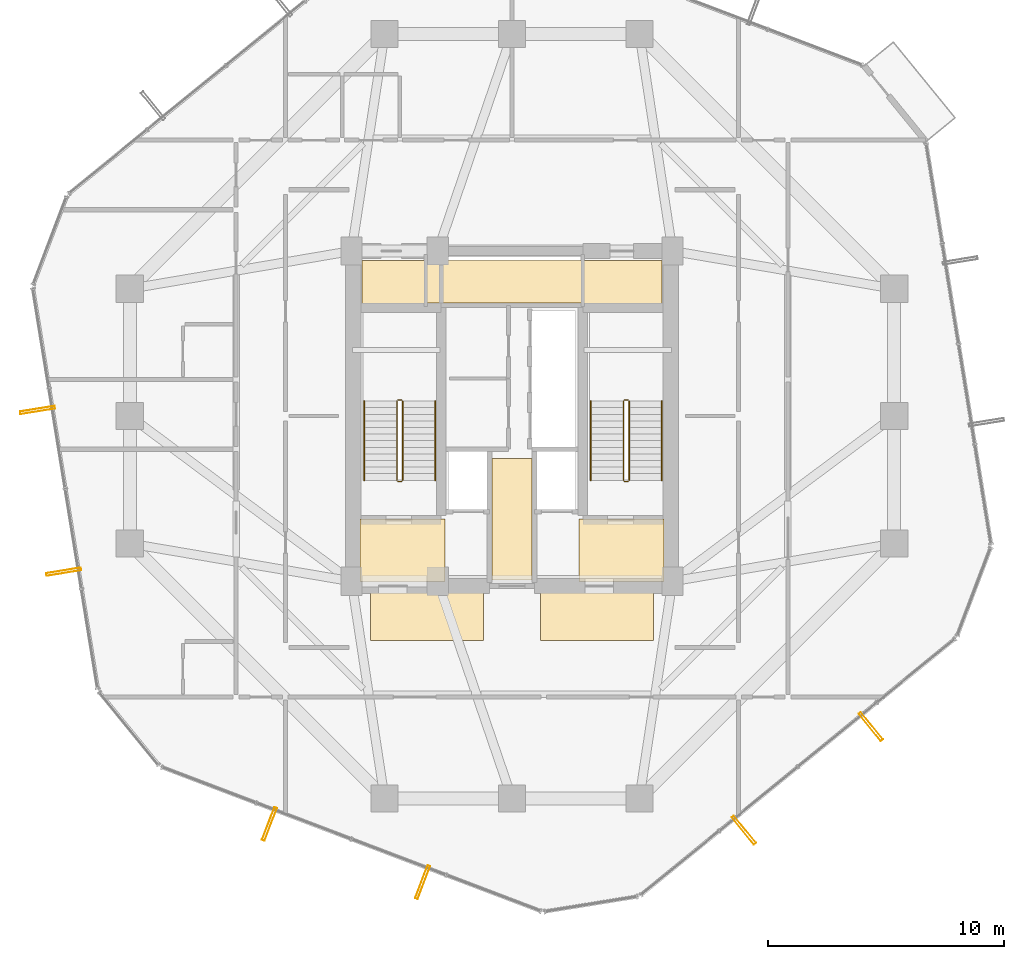
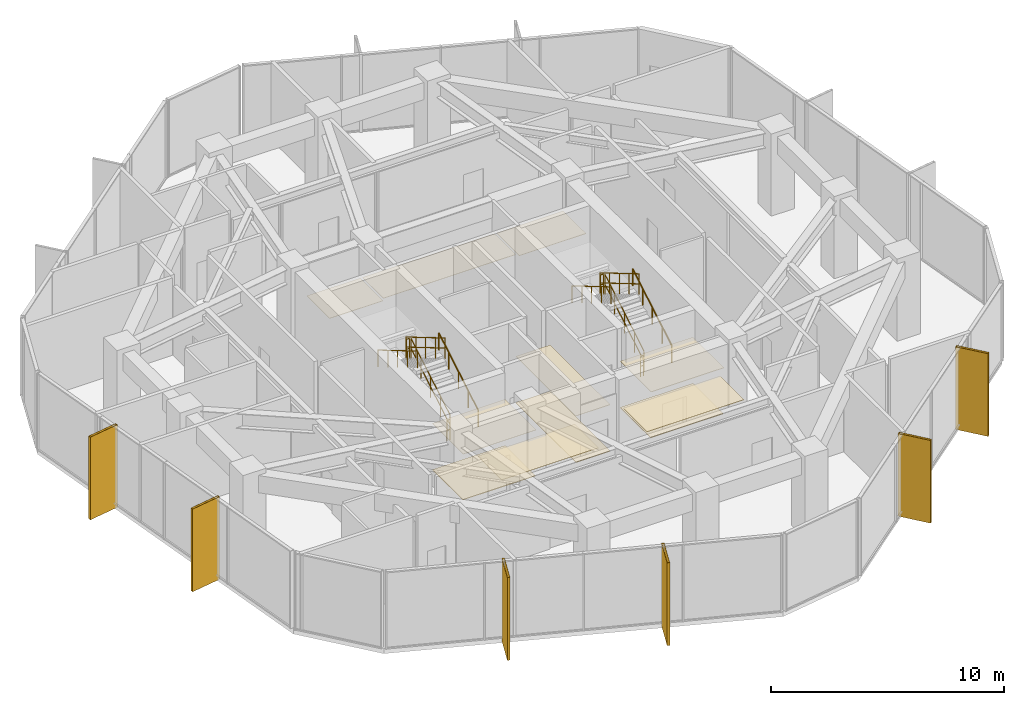
# One storey, part 25 of 26: 12 railings, 11 coverings, 6 shading devices.
"""IFC4 building model written with IfcOpenShell, lengths in metres."""

from ifc_helpers import new_model, si_unit, direction, frame, origin, origin_2d, place, context, subcontext, project, spatial, polyline, hollow_rectangle, circle, outline, extrude, material, layer, layer_set, material_profile, profile_set, type_object, element, save


model = new_model("IFC4")

# Units and contexts
model_context = context("Model", 3, precision=1e-05, world=origin(), true_north=direction((0.0, 1.0)))
body_context = subcontext(model_context, "Body", "Model", "MODEL_VIEW")
ifc_project = project(units=[si_unit("LENGTHUNIT", "METRE"), si_unit("AREAUNIT", "SQUARE_METRE"), si_unit("VOLUMEUNIT", "CUBIC_METRE"), si_unit("PLANEANGLEUNIT", "RADIAN"), si_unit("MASSUNIT", "GRAM", prefix="KILO")], contexts=[model_context])

# Site, building, storey
site_placement = place(None, origin())
site = spatial("IfcSite", under=ifc_project, at=site_placement, CompositionType="ELEMENT")
building_placement = place(site_placement, origin())
building = spatial("IfcBuilding", under=site, at=building_placement, Name="Veraguas Prism Commons", CompositionType="ELEMENT")
storey_placement = place(building_placement, frame((0.0, 0.0, 158.75)))
storey = spatial("IfcBuildingStorey", under=building, at=storey_placement, Name="L45", CompositionType="ELEMENT", Elevation=158.75)

# Shading devices
ifc_material_1 = material(Name="Anodised aluminium EN AW-6063 T6", Category="aluminium")
ifc_material_profile = material_profile(ifc_material_1, hollow_rectangle(XDim=0.1201171875, YDim=1.489990234375, WallThickness=0.006103515625, at=origin_2d()), Name="FIN120X1490X6")
ifc_profile_set = profile_set([ifc_material_profile], Name="Anodised aluminium EN AW-6063 T6")
shading_device_type = type_object("IfcShadingDeviceType", Name="Deep Pale-Metal Vertical Solar Fin 120x1490", PredefinedType="USERDEFINED", material=ifc_profile_set)
for number, where, z_axis, x_axis, name in (
    (1, (3.892333984375, 24.259521484375, -0.260009765625), (0.0, 0.0, 1.0), (0.159877741935, -0.987136823158, 0.0), "Vertical Pale-Metal Solar Fin L45-F3A"),
    (2, (5.002197265625, 17.406982421875, -0.260009765625), (0.0, 0.0, 1.0), (0.159877741935, -0.987136823158, 0.0), "Vertical Pale-Metal Solar Fin L45-F3B"),
    (3, (13.721435546875, 6.716064453125, -0.260009765625), (0.0, 0.0, 1.0), (0.934825056616, -0.355108593986, 0.0), "Vertical Pale-Metal Solar Fin L45-F4A"),
    (4, (20.2109375, 4.2509765625, -0.260009765625), (0.0, 0.0, 1.0), (0.934825056616, -0.355108593986, 0.0), "Vertical Pale-Metal Solar Fin L45-F4B"),
    (5, (33.8291015625, 6.45654296875, -0.260009765625), (0.0, 0.0, 1.0), (0.774944488704, 0.632029302665, 0.0), "Vertical Pale-Metal Solar Fin L45-F5A"),
    (6, (39.20849609375, 10.843994140625, -0.260009765625), (0.0, 0.0, 1.0), (0.774944488704, 0.632029302665, 0.0), "Vertical Pale-Metal Solar Fin L45-F5B"),
):
    element("IfcShadingDevice", number, at=place(storey_placement, frame(where, z_axis=z_axis, x_axis=x_axis)), inside=storey, type_object=shading_device_type, Name=name, ObjectType="FIN", PredefinedType="USERDEFINED", context=body_context, shape_type="SweptSolid", body=[
        extrude(hollow_rectangle(XDim=0.1201171875, YDim=1.489990234375, WallThickness=0.006103515625, at=origin_2d()), origin(), (0.0, 0.0, 1.0), 4.330078125),
    ])

# Coverings
ifc_material_2 = material(Name="Acoustic gypsum board")
ifc_layer_1 = layer(ifc_material_2, 0.02490234375, Name="Perforated Acoustic Ceiling Tile 25")
ifc_layer_set_1 = layer_set([ifc_layer_1], Name="Acoustic gypsum board")
covering_type_1 = type_object("IfcCoveringType", Name="Perforated Acoustic Ceiling Tile 25", PredefinedType="USERDEFINED", material=ifc_layer_set_1)
covering_1_placement = place(storey_placement, frame((0.0, 0.0, 2.425048828125)))
element("IfcCovering", 7, at=covering_1_placement, inside=storey, type_object=covering_type_1, Name="East Lobby Acoustic Ceiling L45", ObjectType="ACOUSTIC CEILING", PredefinedType="USERDEFINED", context=body_context, shape_type="SweptSolid", body=[
    extrude(outline(polyline([(26.85009765625, 17.0), (30.449951171875, 17.0), (30.449951171875, 19.64990234375), (26.85009765625, 19.64990234375), (26.85009765625, 17.0)])), origin(), (0.0, 0.0, 1.0), 0.02490234375),
])
ifc_material_3 = material(Name="Terrazzo stone finish", Category="masonry")
ifc_layer_2 = layer(ifc_material_3, 0.030029296875, Name="Polished Terrazzo Floor Finish 30", Category="masonry")
ifc_layer_set_2 = layer_set([ifc_layer_2], Name="Terrazzo stone finish")
covering_type_2 = type_object("IfcCoveringType", Name="Polished Terrazzo Floor Finish 30", PredefinedType="FLOORING", material=ifc_layer_set_2)
covering_2_placement = place(storey_placement, origin())
element("IfcCovering", 8, at=covering_2_placement, inside=storey, type_object=covering_type_2, Name="Terrazzo Lobby Flooring L45", PredefinedType="FLOORING", context=body_context, shape_type="SweptSolid", body=[
    extrude(outline(polyline([(23.14990234375, 17.050048828125), (24.85009765625, 17.050048828125), (24.85009765625, 22.199951171875), (23.14990234375, 22.199951171875), (23.14990234375, 17.050048828125)])), origin(), (0.0, 0.0, 1.0), 0.030029296875),
])
covering_3_placement = place(storey_placement, origin())
element("IfcCovering", 9, at=covering_3_placement, inside=storey, type_object=covering_type_2, Name="West FF Lobby Terrazzo Flooring L45", PredefinedType="FLOORING", context=body_context, shape_type="SweptSolid", body=[
    extrude(outline(polyline([(17.550048828125, 17.050048828125), (21.14990234375, 17.050048828125), (21.14990234375, 19.64990234375), (17.550048828125, 19.64990234375), (17.550048828125, 17.050048828125)])), origin(), (0.0, 0.0, 1.0), 0.030029296875),
])
covering_4_placement = place(storey_placement, origin())
element("IfcCovering", 10, at=covering_4_placement, inside=storey, type_object=covering_type_2, Name="East FF Lobby Terrazzo Flooring L45", PredefinedType="FLOORING", context=body_context, shape_type="SweptSolid", body=[
    extrude(outline(polyline([(26.85009765625, 17.050048828125), (30.449951171875, 17.050048828125), (30.449951171875, 19.64990234375), (26.85009765625, 19.64990234375), (26.85009765625, 17.050048828125)])), origin(), (0.0, 0.0, 1.0), 0.030029296875),
])

# Railings
ifc_material_4 = material(Name="Stainless steel AISI 316", Category="steel")
railing_type_1 = type_object("IfcRailingType", Name="Stair and Ramp Stainless Handrail 900", PredefinedType="HANDRAIL", material=ifc_material_4)
railing_1_placement = place(storey_placement, frame((20.75, 21.280029296875, 0.165283203125)))
element("IfcRailing", 11, at=railing_1_placement, inside=storey, type_object=railing_type_1, Name="Stair Handrail ST-01 L45-1", PredefinedType="HANDRAIL", context=body_context, shape_type="SweptSolid", body=[
    extrude(circle(Radius=0.02392578125, at=origin_2d()), frame((0.0, 0.0, 0.8759765625), z_axis=(0.0, 0.861011212953, 0.508585972249), x_axis=(-1.0, 0.0, 0.0)), (0.0, 0.0, 1.0), 3.90234375),
    extrude(circle(Radius=0.02099609375, at=origin_2d()), origin(), (0.0, 0.0, 1.0), 0.851806640625),
    extrude(circle(Radius=0.02099609375, at=origin_2d()), frame((0.0, 0.83984375, 0.49609375)), (0.0, 0.0, 1.0), 0.851806640625),
    extrude(circle(Radius=0.02099609375, at=origin_2d()), frame((0.0, 1.679931640625, 0.9921875)), (0.0, 0.0, 1.0), 0.851806640625),
    extrude(circle(Radius=0.02099609375, at=origin_2d()), frame((0.0, 2.52001953125, 1.488525390625)), (0.0, 0.0, 1.0), 0.851806640625),
    extrude(circle(Radius=0.02099609375, at=origin_2d()), frame((0.0, 3.35986328125, 1.984619140625)), (0.0, 0.0, 1.0), 0.851806640625),
])
railing_2_placement = place(storey_placement, frame((17.739990234375, 24.639892578125, 2.3154296875)))
element("IfcRailing", 12, at=railing_2_placement, inside=storey, type_object=railing_type_1, Name="Stair Handrail ST-01 L45-2", PredefinedType="HANDRAIL", context=body_context, shape_type="SweptSolid", body=[
    extrude(circle(Radius=0.02392578125, at=origin_2d()), frame((0.0, 0.0, 0.8759765625), z_axis=(0.0, -0.861011212953, 0.508585972249), x_axis=(1.0, 0.0, 0.0)), (0.0, 0.0, 1.0), 3.90234375),
    extrude(circle(Radius=0.02099609375, at=origin_2d()), origin(), (0.0, 0.0, 1.0), 0.851806640625),
    extrude(circle(Radius=0.02099609375, at=origin_2d()), frame((0.0, -0.83984375, 0.49609375)), (0.0, 0.0, 1.0), 0.851806640625),
    extrude(circle(Radius=0.02099609375, at=origin_2d()), frame((0.0, -1.679931640625, 0.9921875)), (0.0, 0.0, 1.0), 0.851806640625),
    extrude(circle(Radius=0.02099609375, at=origin_2d()), frame((0.0, -2.52001953125, 1.488525390625)), (0.0, 0.0, 1.0), 0.851806640625),
    extrude(circle(Radius=0.02099609375, at=origin_2d()), frame((0.0, -3.35986328125, 1.984619140625)), (0.0, 0.0, 1.0), 0.851806640625),
])
railing_3_placement = place(storey_placement, frame((30.35009765625, 21.280029296875, 0.165283203125)))
element("IfcRailing", 13, at=railing_3_placement, inside=storey, type_object=railing_type_1, Name="Stair Handrail ST-02 L45-1", PredefinedType="HANDRAIL", context=body_context, shape_type="SweptSolid", body=[
    extrude(circle(Radius=0.02392578125, at=origin_2d()), frame((0.0, 0.0, 0.8759765625), z_axis=(0.0, 0.861011212953, 0.508585972249), x_axis=(-1.0, 0.0, 0.0)), (0.0, 0.0, 1.0), 3.90234375),
    extrude(circle(Radius=0.02099609375, at=origin_2d()), origin(), (0.0, 0.0, 1.0), 0.851806640625),
    extrude(circle(Radius=0.02099609375, at=origin_2d()), frame((0.0, 0.83984375, 0.49609375)), (0.0, 0.0, 1.0), 0.851806640625),
    extrude(circle(Radius=0.02099609375, at=origin_2d()), frame((0.0, 1.679931640625, 0.9921875)), (0.0, 0.0, 1.0), 0.851806640625),
    extrude(circle(Radius=0.02099609375, at=origin_2d()), frame((0.0, 2.52001953125, 1.488525390625)), (0.0, 0.0, 1.0), 0.851806640625),
    extrude(circle(Radius=0.02099609375, at=origin_2d()), frame((0.0, 3.35986328125, 1.984619140625)), (0.0, 0.0, 1.0), 0.851806640625),
])
railing_4_placement = place(storey_placement, frame((27.340087890625, 24.639892578125, 2.3154296875)))
element("IfcRailing", 14, at=railing_4_placement, inside=storey, type_object=railing_type_1, Name="Stair Handrail ST-02 L45-2", PredefinedType="HANDRAIL", context=body_context, shape_type="SweptSolid", body=[
    extrude(circle(Radius=0.02392578125, at=origin_2d()), frame((0.0, 0.0, 0.8759765625), z_axis=(0.0, -0.861011212953, 0.508585972249), x_axis=(1.0, 0.0, 0.0)), (0.0, 0.0, 1.0), 3.90234375),
    extrude(circle(Radius=0.02099609375, at=origin_2d()), origin(), (0.0, 0.0, 1.0), 0.851806640625),
    extrude(circle(Radius=0.02099609375, at=origin_2d()), frame((0.0, -0.83984375, 0.49609375)), (0.0, 0.0, 1.0), 0.851806640625),
    extrude(circle(Radius=0.02099609375, at=origin_2d()), frame((0.0, -1.679931640625, 0.9921875)), (0.0, 0.0, 1.0), 0.851806640625),
    extrude(circle(Radius=0.02099609375, at=origin_2d()), frame((0.0, -2.52001953125, 1.488525390625)), (0.0, 0.0, 1.0), 0.851806640625),
    extrude(circle(Radius=0.02099609375, at=origin_2d()), frame((0.0, -3.35986328125, 1.984619140625)), (0.0, 0.0, 1.0), 0.851806640625),
])
railing_type_2 = type_object("IfcRailingType", Name="Stairwell Safety Guardrail 1100", PredefinedType="GUARDRAIL", material=ifc_material_4)
railing_5_placement = place(storey_placement, frame((19.3701171875, 21.280029296875, 0.165283203125)))
element("IfcRailing", 15, at=railing_5_placement, inside=storey, type_object=railing_type_2, Name="Stair Guard ST-01 L45-1", PredefinedType="GUARDRAIL", context=body_context, shape_type="SweptSolid", body=[
    extrude(circle(Radius=0.02392578125, at=origin_2d()), frame((0.0, 0.0, 1.076171875), z_axis=(0.0, 0.861011212953, 0.508585972249), x_axis=(-1.0, 0.0, 0.0)), (0.0, 0.0, 1.0), 3.90234375),
    extrude(circle(Radius=0.02392578125, at=origin_2d()), frame((0.0, 0.0, 0.550048828125), z_axis=(0.0, 0.861011212953, 0.508585972249), x_axis=(-1.0, 0.0, 0.0)), (0.0, 0.0, 1.0), 3.90234375),
    extrude(circle(Radius=0.02099609375, at=origin_2d()), origin(), (0.0, 0.0, 1.0), 1.052001953125),
    extrude(circle(Radius=0.02099609375, at=origin_2d()), frame((0.0, 0.83984375, 0.49609375)), (0.0, 0.0, 1.0), 1.052001953125),
    extrude(circle(Radius=0.02099609375, at=origin_2d()), frame((0.0, 1.679931640625, 0.9921875)), (0.0, 0.0, 1.0), 1.052001953125),
    extrude(circle(Radius=0.02099609375, at=origin_2d()), frame((0.0, 2.52001953125, 1.488525390625)), (0.0, 0.0, 1.0), 1.052001953125),
    extrude(circle(Radius=0.02099609375, at=origin_2d()), frame((0.0, 3.35986328125, 1.984619140625)), (0.0, 0.0, 1.0), 1.052001953125),
])
railing_6_placement = place(storey_placement, frame((19.320068359375, 24.68994140625, 2.14990234375)))
element("IfcRailing", 16, at=railing_6_placement, inside=storey, type_object=railing_type_2, Name="Stair Guard ST-01 L45-2", PredefinedType="GUARDRAIL", context=body_context, shape_type="SweptSolid", body=[
    extrude(circle(Radius=0.02392578125, at=origin_2d()), frame((0.0, 0.0, 1.076171875), z_axis=(-1.0, 0.0, 0.0), x_axis=(0.0, -1.0, 0.0)), (0.0, 0.0, 1.0), 0.150146484375),
    extrude(circle(Radius=0.02392578125, at=origin_2d()), frame((0.0, 0.0, 0.550048828125), z_axis=(-1.0, 0.0, 0.0), x_axis=(0.0, -1.0, 0.0)), (0.0, 0.0, 1.0), 0.150146484375),
    extrude(circle(Radius=0.02099609375, at=origin_2d()), origin(), (0.0, 0.0, 1.0), 1.052001953125),
    extrude(circle(Radius=0.02099609375, at=origin_2d()), frame((-0.150146484375, 0.0, 0.0)), (0.0, 0.0, 1.0), 1.052001953125),
])
railing_7_placement = place(storey_placement, frame((19.1201171875, 24.639892578125, 2.3154296875)))
element("IfcRailing", 17, at=railing_7_placement, inside=storey, type_object=railing_type_2, Name="Stair Guard ST-01 L45-3", PredefinedType="GUARDRAIL", context=body_context, shape_type="SweptSolid", body=[
    extrude(circle(Radius=0.02392578125, at=origin_2d()), frame((0.0, 0.0, 1.076171875), z_axis=(0.0, -0.861011212953, 0.508585972249), x_axis=(1.0, 0.0, 0.0)), (0.0, 0.0, 1.0), 3.90234375),
    extrude(circle(Radius=0.02392578125, at=origin_2d()), frame((0.0, 0.0, 0.550048828125), z_axis=(0.0, -0.861011212953, 0.508585972249), x_axis=(1.0, 0.0, 0.0)), (0.0, 0.0, 1.0), 3.90234375),
    extrude(circle(Radius=0.02099609375, at=origin_2d()), origin(), (0.0, 0.0, 1.0), 1.052001953125),
    extrude(circle(Radius=0.02099609375, at=origin_2d()), frame((0.0, -0.83984375, 0.49609375)), (0.0, 0.0, 1.0), 1.052001953125),
    extrude(circle(Radius=0.02099609375, at=origin_2d()), frame((0.0, -1.679931640625, 0.9921875)), (0.0, 0.0, 1.0), 1.052001953125),
    extrude(circle(Radius=0.02099609375, at=origin_2d()), frame((0.0, -2.52001953125, 1.488525390625)), (0.0, 0.0, 1.0), 1.052001953125),
    extrude(circle(Radius=0.02099609375, at=origin_2d()), frame((0.0, -3.35986328125, 1.984619140625)), (0.0, 0.0, 1.0), 1.052001953125),
])
railing_8_placement = place(storey_placement, frame((19.320068359375, 21.22998046875, 0.0)))
element("IfcRailing", 18, at=railing_8_placement, inside=storey, type_object=railing_type_2, Name="Stair Guard ST-01 L45-4", PredefinedType="GUARDRAIL", context=body_context, shape_type="SweptSolid", body=[
    extrude(circle(Radius=0.02392578125, at=origin_2d()), frame((0.0, 0.0, 1.076171875), z_axis=(-1.0, 0.0, 0.0), x_axis=(0.0, -1.0, 0.0)), (0.0, 0.0, 1.0), 0.150146484375),
    extrude(circle(Radius=0.02392578125, at=origin_2d()), frame((0.0, 0.0, 0.550048828125), z_axis=(-1.0, 0.0, 0.0), x_axis=(0.0, -1.0, 0.0)), (0.0, 0.0, 1.0), 0.150146484375),
    extrude(circle(Radius=0.02099609375, at=origin_2d()), origin(), (0.0, 0.0, 1.0), 1.052001953125),
    extrude(circle(Radius=0.02099609375, at=origin_2d()), frame((-0.150146484375, 0.0, 0.0)), (0.0, 0.0, 1.0), 1.052001953125),
])
railing_9_placement = place(storey_placement, frame((28.969970703125, 21.280029296875, 0.165283203125)))
element("IfcRailing", 19, at=railing_9_placement, inside=storey, type_object=railing_type_2, Name="Stair Guard ST-02 L45-1", PredefinedType="GUARDRAIL", context=body_context, shape_type="SweptSolid", body=[
    extrude(circle(Radius=0.02392578125, at=origin_2d()), frame((0.0, 0.0, 1.076171875), z_axis=(0.0, 0.861011212953, 0.508585972249), x_axis=(-1.0, 0.0, 0.0)), (0.0, 0.0, 1.0), 3.90234375),
    extrude(circle(Radius=0.02392578125, at=origin_2d()), frame((0.0, 0.0, 0.550048828125), z_axis=(0.0, 0.861011212953, 0.508585972249), x_axis=(-1.0, 0.0, 0.0)), (0.0, 0.0, 1.0), 3.90234375),
    extrude(circle(Radius=0.02099609375, at=origin_2d()), origin(), (0.0, 0.0, 1.0), 1.052001953125),
    extrude(circle(Radius=0.02099609375, at=origin_2d()), frame((0.0, 0.83984375, 0.49609375)), (0.0, 0.0, 1.0), 1.052001953125),
    extrude(circle(Radius=0.02099609375, at=origin_2d()), frame((0.0, 1.679931640625, 0.9921875)), (0.0, 0.0, 1.0), 1.052001953125),
    extrude(circle(Radius=0.02099609375, at=origin_2d()), frame((0.0, 2.52001953125, 1.488525390625)), (0.0, 0.0, 1.0), 1.052001953125),
    extrude(circle(Radius=0.02099609375, at=origin_2d()), frame((0.0, 3.35986328125, 1.984619140625)), (0.0, 0.0, 1.0), 1.052001953125),
])
railing_10_placement = place(storey_placement, frame((28.919921875, 24.68994140625, 2.14990234375)))
element("IfcRailing", 20, at=railing_10_placement, inside=storey, type_object=railing_type_2, Name="Stair Guard ST-02 L45-2", PredefinedType="GUARDRAIL", context=body_context, shape_type="SweptSolid", body=[
    extrude(circle(Radius=0.02392578125, at=origin_2d()), frame((0.0, 0.0, 1.076171875), z_axis=(-1.0, 0.0, 0.0), x_axis=(0.0, -1.0, 0.0)), (0.0, 0.0, 1.0), 0.14990234375),
    extrude(circle(Radius=0.02392578125, at=origin_2d()), frame((0.0, 0.0, 0.550048828125), z_axis=(-1.0, 0.0, 0.0), x_axis=(0.0, -1.0, 0.0)), (0.0, 0.0, 1.0), 0.14990234375),
    extrude(circle(Radius=0.02099609375, at=origin_2d()), origin(), (0.0, 0.0, 1.0), 1.052001953125),
    extrude(circle(Radius=0.02099609375, at=origin_2d()), frame((-0.14990234375, 0.0, 0.0)), (0.0, 0.0, 1.0), 1.052001953125),
])
railing_11_placement = place(storey_placement, frame((28.719970703125, 24.639892578125, 2.3154296875)))
element("IfcRailing", 21, at=railing_11_placement, inside=storey, type_object=railing_type_2, Name="Stair Guard ST-02 L45-3", PredefinedType="GUARDRAIL", context=body_context, shape_type="SweptSolid", body=[
    extrude(circle(Radius=0.02392578125, at=origin_2d()), frame((0.0, 0.0, 1.076171875), z_axis=(0.0, -0.861011212953, 0.508585972249), x_axis=(1.0, 0.0, 0.0)), (0.0, 0.0, 1.0), 3.90234375),
    extrude(circle(Radius=0.02392578125, at=origin_2d()), frame((0.0, 0.0, 0.550048828125), z_axis=(0.0, -0.861011212953, 0.508585972249), x_axis=(1.0, 0.0, 0.0)), (0.0, 0.0, 1.0), 3.90234375),
    extrude(circle(Radius=0.02099609375, at=origin_2d()), origin(), (0.0, 0.0, 1.0), 1.052001953125),
    extrude(circle(Radius=0.02099609375, at=origin_2d()), frame((0.0, -0.83984375, 0.49609375)), (0.0, 0.0, 1.0), 1.052001953125),
    extrude(circle(Radius=0.02099609375, at=origin_2d()), frame((0.0, -1.679931640625, 0.9921875)), (0.0, 0.0, 1.0), 1.052001953125),
    extrude(circle(Radius=0.02099609375, at=origin_2d()), frame((0.0, -2.52001953125, 1.488525390625)), (0.0, 0.0, 1.0), 1.052001953125),
    extrude(circle(Radius=0.02099609375, at=origin_2d()), frame((0.0, -3.35986328125, 1.984619140625)), (0.0, 0.0, 1.0), 1.052001953125),
])
railing_12_placement = place(storey_placement, frame((28.919921875, 21.22998046875, 0.0)))
element("IfcRailing", 22, at=railing_12_placement, inside=storey, type_object=railing_type_2, Name="Stair Guard ST-02 L45-4", PredefinedType="GUARDRAIL", context=body_context, shape_type="SweptSolid", body=[
    extrude(circle(Radius=0.02392578125, at=origin_2d()), frame((0.0, 0.0, 1.076171875), z_axis=(-1.0, 0.0, 0.0), x_axis=(0.0, -1.0, 0.0)), (0.0, 0.0, 1.0), 0.14990234375),
    extrude(circle(Radius=0.02392578125, at=origin_2d()), frame((0.0, 0.0, 0.550048828125), z_axis=(-1.0, 0.0, 0.0), x_axis=(0.0, -1.0, 0.0)), (0.0, 0.0, 1.0), 0.14990234375),
    extrude(circle(Radius=0.02099609375, at=origin_2d()), origin(), (0.0, 0.0, 1.0), 1.052001953125),
    extrude(circle(Radius=0.02099609375, at=origin_2d()), frame((-0.14990234375, 0.0, 0.0)), (0.0, 0.0, 1.0), 1.052001953125),
])

# Coverings
ifc_layer_3 = layer(ifc_material_2, 0.02001953125, Name="Suspended Gypsum Ceiling 20")
ifc_layer_set_3 = layer_set([ifc_layer_3], Name="Acoustic gypsum board")
covering_type_3 = type_object("IfcCoveringType", Name="Suspended Gypsum Ceiling 20", PredefinedType="CEILING", material=ifc_layer_set_3)
covering_5_placement = place(storey_placement, frame((0.0, 0.0, 2.429931640625)))
element("IfcCovering", 23, at=covering_5_placement, inside=storey, type_object=covering_type_3, Name="West Lobby Suspended Gypsum Ceiling L45", PredefinedType="CEILING", context=body_context, shape_type="SweptSolid", body=[
    extrude(outline(polyline([(17.550048828125, 17.0), (21.14990234375, 17.0), (21.14990234375, 19.64990234375), (17.550048828125, 19.64990234375), (17.550048828125, 17.0)])), origin(), (0.0, 0.0, 1.0), 0.02001953125),
])
covering_6_placement = place(storey_placement, frame((0.0, 0.0, 2.429931640625)))
element("IfcCovering", 24, at=covering_6_placement, inside=storey, type_object=covering_type_3, Name="Core Lobby Acoustic Ceiling L45-1", PredefinedType="CEILING", context=body_context, shape_type="SweptSolid", body=[
    extrude(outline(polyline([(18.0, 14.5), (22.800048828125, 14.5), (22.800048828125, 16.550048828125), (18.0, 16.550048828125), (18.0, 14.5)])), origin(), (0.0, 0.0, 1.0), 0.02001953125),
])
covering_7_placement = place(storey_placement, frame((0.0, 0.0, 2.429931640625)))
element("IfcCovering", 25, at=covering_7_placement, inside=storey, type_object=covering_type_3, Name="Core Lobby Acoustic Ceiling L45-2", PredefinedType="CEILING", context=body_context, shape_type="SweptSolid", body=[
    extrude(outline(polyline([(25.199951171875, 14.5), (30.0, 14.5), (30.0, 16.550048828125), (25.199951171875, 16.550048828125), (25.199951171875, 14.5)])), origin(), (0.0, 0.0, 1.0), 0.02001953125),
])
covering_8_placement = place(storey_placement, frame((0.0, 0.0, 2.429931640625)))
element("IfcCovering", 26, at=covering_8_placement, inside=storey, type_object=covering_type_3, Name="Core Lobby Acoustic Ceiling L45-3", PredefinedType="CEILING", context=body_context, shape_type="SweptSolid", body=[
    extrude(outline(polyline([(23.14990234375, 17.050048828125), (24.85009765625, 17.050048828125), (24.85009765625, 22.199951171875), (23.14990234375, 22.199951171875), (23.14990234375, 17.050048828125)])), origin(), (0.0, 0.0, 1.0), 0.02001953125),
])
covering_9_placement = place(storey_placement, frame((0.0, 0.0, 2.429931640625)))
element("IfcCovering", 27, at=covering_9_placement, inside=storey, type_object=covering_type_3, Name="Core Lobby Acoustic Ceiling L45-4", PredefinedType="CEILING", context=body_context, shape_type="SweptSolid", body=[
    extrude(outline(polyline([(17.64990234375, 28.64990234375), (20.300048828125, 28.64990234375), (20.300048828125, 30.60009765625), (17.64990234375, 30.60009765625), (17.64990234375, 28.64990234375)])), origin(), (0.0, 0.0, 1.0), 0.02001953125),
])
covering_10_placement = place(storey_placement, frame((0.0, 0.0, 2.429931640625)))
element("IfcCovering", 28, at=covering_10_placement, inside=storey, type_object=covering_type_3, Name="Core Lobby Acoustic Ceiling L45-5", PredefinedType="CEILING", context=body_context, shape_type="SweptSolid", body=[
    extrude(outline(polyline([(27.050048828125, 28.64990234375), (30.35009765625, 28.64990234375), (30.35009765625, 30.60009765625), (27.050048828125, 30.60009765625), (27.050048828125, 28.64990234375)])), origin(), (0.0, 0.0, 1.0), 0.02001953125),
])
covering_11_placement = place(storey_placement, frame((0.0, 0.0, 2.429931640625)))
element("IfcCovering", 29, at=covering_11_placement, inside=storey, type_object=covering_type_3, Name="Core Lobby Acoustic Ceiling L45-6", PredefinedType="CEILING", context=body_context, shape_type="SweptSolid", body=[
    extrude(outline(polyline([(20.39990234375, 28.800048828125), (26.949951171875, 28.800048828125), (26.949951171875, 30.60009765625), (20.39990234375, 30.60009765625), (20.39990234375, 28.800048828125)])), origin(), (0.0, 0.0, 1.0), 0.02001953125),
])

save(model, "model.ifc")
